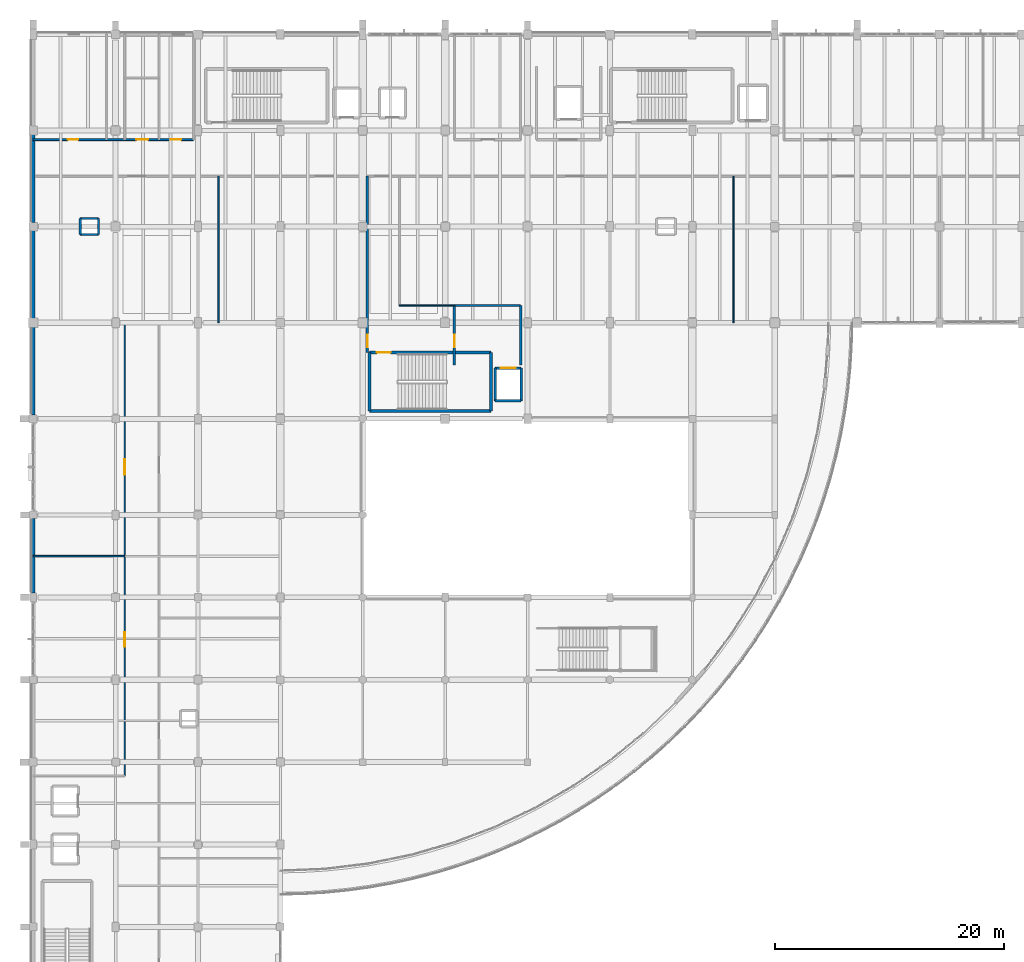
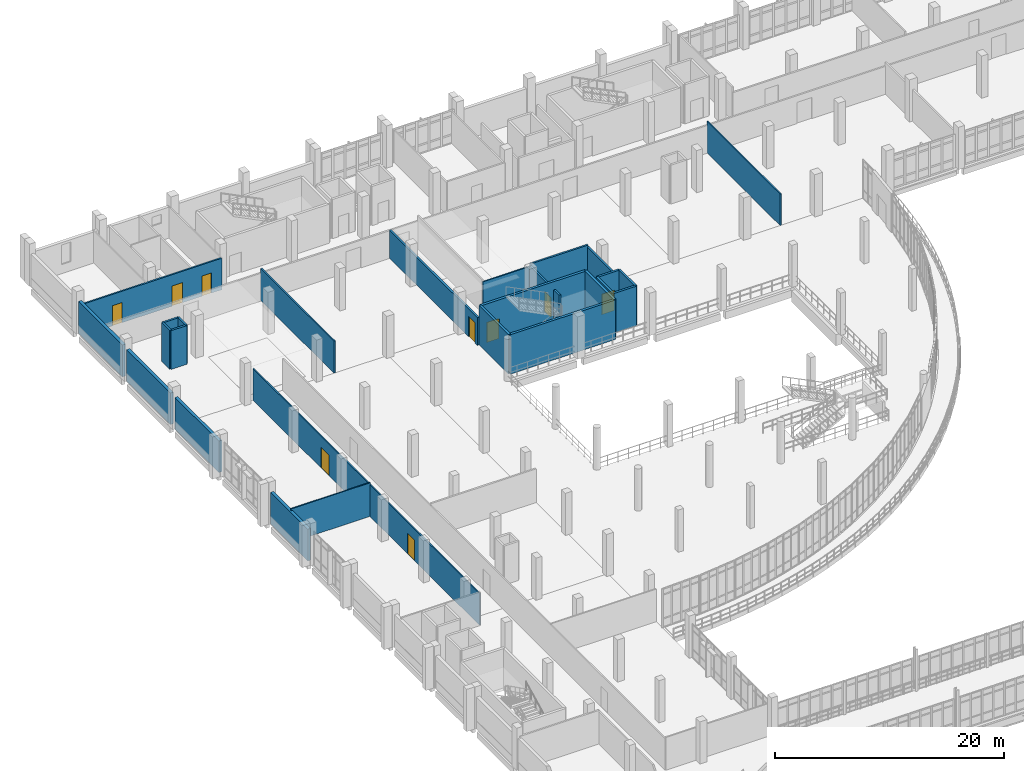
# One storey, part 109 of 124: 26 walls, 9 doors, 9 openings.
"""IFC4 building model written with IfcOpenShell, lengths in metres."""

from ifc_helpers import new_model, si_unit, direction, frame, frame_2d, origin, place, context, subcontext, project, spatial, rectangle, extrude, material, layer, layer_set, type_object, element, fill, save


model = new_model("IFC4")

# Units and contexts
model_context = context("Model", 3, precision=1e-05, world=origin(), true_north=direction((0.0, 1.0)))
body_context = subcontext(model_context, "Body", "Model", "MODEL_VIEW")
ifc_project = project(units=[si_unit("LENGTHUNIT", "METRE"), si_unit("AREAUNIT", "SQUARE_METRE"), si_unit("VOLUMEUNIT", "CUBIC_METRE"), si_unit("PLANEANGLEUNIT", "RADIAN"), si_unit("MASSUNIT", "GRAM", prefix="KILO")], contexts=[model_context])

# Site, building, storey
site_placement = place(None, origin())
site = spatial("IfcSite", under=ifc_project, at=site_placement, CompositionType="ELEMENT")
building_placement = place(site_placement, origin())
building = spatial("IfcBuilding", under=site, at=building_placement, Name="Kalluvel Institute of Natural Sciences", CompositionType="ELEMENT")
storey_placement = place(building_placement, frame((0.0, 0.0, 9.89990234375)))
storey = spatial("IfcBuildingStorey", under=building, at=storey_placement, Name="L02", CompositionType="ELEMENT", Elevation=9.89990234375)

# Walls
ifc_material_1 = material(Name="Concrete M40", Category="concrete")
ifc_layer_1 = layer(ifc_material_1, 0.25)
ifc_layer_set_1 = layer_set([ifc_layer_1], Name="Concrete M40")
wall_type_1 = type_object("IfcWallType", Name="WL-CORE-250", PredefinedType="SHEAR", material=ifc_layer_set_1)
wall_1_placement = place(storey_placement, frame((43.385009765625, 95.0849609375, 0.0), z_axis=(0.0, 0.0, 1.0), x_axis=(1.0, 0.0, 0.0)))
element("IfcWall", 1, at=wall_1_placement, inside=storey, type_object=wall_type_1, Name="ST3 L02 core wall S", PredefinedType="SHEAR", context=body_context, shape_type="SweptSolid", body=[
    extrude(rectangle(XDim=10.6298828125, YDim=0.25, at=frame_2d((5.31494140625, 0.0))), origin(), (0.0, 0.0, 1.0), 4.215087890625),
])
wall_2_placement = place(storey_placement, frame((54.014892578125, 95.0849609375, 0.0), z_axis=(0.0, 0.0, 1.0), x_axis=(0.0, 1.0, 0.0)))
element("IfcWall", 2, at=wall_2_placement, inside=storey, type_object=wall_type_1, Name="ST3 L02 core wall E", PredefinedType="SHEAR", context=body_context, shape_type="SweptSolid", body=[
    extrude(rectangle(XDim=5.10009765625, YDim=0.25, at=frame_2d((2.550048828125, 0.0))), origin(), (0.0, 0.0, 1.0), 4.215087890625),
])

# Wall, opening, door
wall_3_placement = place(storey_placement, frame((54.014892578125, 100.18505859375, 0.0), z_axis=(0.0, 0.0, 1.0), x_axis=(-1.0, 0.0, 0.0)))
wall_3 = element("IfcWall", 3, at=wall_3_placement, inside=storey, type_object=wall_type_1, Name="ST3 L02 core wall N", PredefinedType="SHEAR", context=body_context, shape_type="SweptSolid", body=[
    extrude(rectangle(XDim=10.6298828125, YDim=0.25, at=frame_2d((5.31494140625, 0.0))), origin(), (0.0, 0.0, 1.0), 4.215087890625),
])
opening_1_placement = place(wall_3_placement, frame((8.780029296875, 0.0, 0.0)))
opening_1 = element("IfcOpeningElement", 4, at=opening_1_placement, cuts=wall_3, Name="Opening DS-026", PredefinedType="OPENING", context=body_context, shape_type="SweptSolid", body=[
    extrude(rectangle(XDim=1.199951171875, YDim=2.14990234375, at=frame_2d((0.60009765625, 1.074951171875))), frame((0.0, 0.135009765625, 0.0), z_axis=(0.0, -1.0, 0.0), x_axis=(1.0, 0.0, 0.0)), (0.0, 0.0, 1.0), 0.27001953125),
])
ifc_material_2 = material(Name="Galvanized Fire-Rated Steel", Category="steel")
door_type_1 = type_object("IfcDoorType", Name="DR-ST-1200", OperationType="NOTDEFINED", PredefinedType="DOOR", material=ifc_material_2)
door_1_placement = place(opening_1_placement, origin())
door_1 = element("IfcDoor", 5, at=door_1_placement, inside=storey, type_object=door_type_1, Name="ST3 L02 protected stair door DS-026", OperationType="SINGLE_SWING_RIGHT", OverallHeight=2.14990234375, OverallWidth=1.199951171875, PredefinedType="DOOR", context=body_context, shape_type="SweptSolid", body=[
    extrude(rectangle(XDim=1.199951171875, YDim=2.14990234375, at=frame_2d((0.60009765625, 1.074951171875))), frame((0.0, 0.02490234375, 0.0), z_axis=(0.0, -1.0, 0.0), x_axis=(1.0, 0.0, 0.0)), (0.0, 0.0, 1.0), 0.050048828125),
])
fill(opening_1, door_1)

# Walls
wall_4_placement = place(storey_placement, frame((43.385009765625, 100.18505859375, 0.0), z_axis=(0.0, 0.0, 1.0), x_axis=(0.0, -1.0, 0.0)))
element("IfcWall", 6, at=wall_4_placement, inside=storey, type_object=wall_type_1, Name="ST3 L02 core wall W", PredefinedType="SHEAR", context=body_context, shape_type="SweptSolid", body=[
    extrude(rectangle(XDim=5.10009765625, YDim=0.25, at=frame_2d((2.550048828125, 0.0))), origin(), (0.0, 0.0, 1.0), 4.215087890625),
])
ifc_material_3 = material(Name="Sadarahalli Grey Granite Ashlar Concrete M40", Category="masonry")
ifc_layer_2 = layer(ifc_material_3, 0.300048828125)
ifc_layer_set_2 = layer_set([ifc_layer_2], Name="Sadarahalli Grey Granite Ashlar Concrete M40")
wall_type_2 = type_object("IfcWallType", Name="WL-EXT-300", PredefinedType="SOLIDWALL", material=ifc_layer_set_2)
wall_5_placement = place(storey_placement, frame((14.0, 79.179931640625, 0.0), z_axis=(0.0, 0.0, 1.0), x_axis=(0.0, 1.0, 0.0)))
element("IfcWall", 7, at=wall_5_placement, inside=storey, type_object=wall_type_2, Name="L02 Sadarahalli granite exterior wall WL-EXT-L02-0164", PredefinedType="SOLIDWALL", context=body_context, shape_type="SweptSolid", body=[
    extrude(rectangle(XDim=6.51513671875, YDim=0.300048828125, at=frame_2d((3.257568359375, 0.0))), origin(), (0.0, 0.0, 1.0), 3.375),
])
wall_6_placement = place(storey_placement, frame((14.0, 94.72998046875, 0.0), z_axis=(0.0, 0.0, 1.0), x_axis=(0.0, 1.0, 0.0)))
element("IfcWall", 8, at=wall_6_placement, inside=storey, type_object=wall_type_2, Name="L02 Sadarahalli granite exterior wall WL-EXT-L02-0165", PredefinedType="SOLIDWALL", context=body_context, shape_type="SweptSolid", body=[
    extrude(rectangle(XDim=7.68994140625, YDim=0.300048828125, at=frame_2d((3.844970703125, 0.0))), origin(), (0.0, 0.0, 1.0), 3.35498046875),
])
ifc_layer_3 = layer(ifc_material_3, 0.320068359375)
ifc_layer_set_3 = layer_set([ifc_layer_3], Name="Sadarahalli Grey Granite Ashlar Concrete M40")
wall_type_3 = type_object("IfcWallType", Name="WL-EXT-320", PredefinedType="SOLIDWALL", material=ifc_layer_set_3)
wall_7_placement = place(storey_placement, frame((14.0, 103.179931640625, 0.0), z_axis=(0.0, 0.0, 1.0), x_axis=(0.0, 1.0, 0.0)))
element("IfcWall", 9, at=wall_7_placement, inside=storey, type_object=wall_type_3, Name="L02 Sadarahalli granite exterior wall WL-EXT-L02-0036", PredefinedType="SOLIDWALL", context=body_context, shape_type="SweptSolid", body=[
    extrude(rectangle(XDim=7.6650390625, YDim=0.320068359375, at=frame_2d((3.83251953125, 0.0))), origin(), (0.0, 0.0, 1.0), 3.35498046875),
])
wall_8_placement = place(storey_placement, frame((14.0, 111.554931640625, 0.0), z_axis=(0.0, 0.0, 1.0), x_axis=(0.0, 1.0, 0.0)))
element("IfcWall", 10, at=wall_8_placement, inside=storey, type_object=wall_type_3, Name="L02 Sadarahalli granite exterior wall WL-EXT-L02-0037", PredefinedType="SOLIDWALL", context=body_context, shape_type="SweptSolid", body=[
    extrude(rectangle(XDim=7.690185546875, YDim=0.320068359375, at=frame_2d((3.84521484375, 0.0))), origin(), (0.0, 0.0, 1.0), 3.405029296875),
])
ifc_material_4 = material(Name="Autoclaved Aerated Concrete Masonry Block", Category="masonry")
ifc_layer_4 = layer(ifc_material_4, 0.179931640625)
ifc_layer_set_4 = layer_set([ifc_layer_4], Name="Autoclaved Aerated Concrete Masonry Block")
wall_type_4 = type_object("IfcWallType", Name="WL-FIRE-180", PredefinedType="SOLIDWALL", material=ifc_layer_set_4)
wall_9_placement = place(storey_placement, frame((50.800048828125, 104.300048828125, 0.0), z_axis=(0.0, 0.0, 1.0), x_axis=(1.0, 0.0, 0.0)))
element("IfcWall", 11, at=wall_9_placement, inside=storey, type_object=wall_type_4, Name="L02 interior fire wall WL-INT-L02-0131", PredefinedType="SOLIDWALL", context=body_context, shape_type="SweptSolid", body=[
    extrude(rectangle(XDim=5.800048828125, YDim=0.179931640625, at=frame_2d((2.89990234375, 0.0))), origin(), (0.0, 0.0, 1.0), 3.56005859375),
])

# Wall, opening, door
ifc_layer_5 = layer(ifc_material_4, 0.199951171875)
ifc_layer_set_5 = layer_set([ifc_layer_5], Name="Autoclaved Aerated Concrete Masonry Block")
wall_type_5 = type_object("IfcWallType", Name="WL-FIRE-200", PredefinedType="SOLIDWALL", material=ifc_layer_set_5)
wall_10_placement = place(storey_placement, frame((50.800048828125, 99.10009765625, 0.0), z_axis=(0.0, 0.0, 1.0), x_axis=(0.0, 1.0, 0.0)))
wall_10 = element("IfcWall", 12, at=wall_10_placement, inside=storey, type_object=wall_type_5, Name="L02 interior fire wall WL-INT-L02-0129", PredefinedType="SOLIDWALL", context=body_context, shape_type="SweptSolid", body=[
    extrude(rectangle(XDim=5.199951171875, YDim=0.199951171875, at=frame_2d((2.60009765625, 0.0))), origin(), (0.0, 0.0, 1.0), 3.360107421875),
])
opening_2_placement = place(wall_10_placement, frame((1.550048828125, 0.0, 0.0)))
opening_2 = element("IfcOpeningElement", 13, at=opening_2_placement, cuts=wall_10, Name="Opening D-122", PredefinedType="OPENING", context=body_context, shape_type="SweptSolid", body=[
    extrude(rectangle(XDim=1.10009765625, YDim=2.14990234375, at=frame_2d((0.550048828125, 1.074951171875))), frame((0.0, 0.10986328125, 0.0), z_axis=(0.0, -1.0, 0.0), x_axis=(1.0, 0.0, 0.0)), (0.0, 0.0, 1.0), 0.219970703125),
])
door_type_2 = type_object("IfcDoorType", Name="DR-FD60-1100", OperationType="NOTDEFINED", PredefinedType="DOOR", material=ifc_material_2)
door_2_placement = place(opening_2_placement, origin())
door_2 = element("IfcDoor", 14, at=door_2_placement, inside=storey, type_object=door_type_2, Name="L02 ST3-FF2 link door D-122", OperationType="SINGLE_SWING_LEFT", OverallHeight=2.14990234375, OverallWidth=1.10009765625, PredefinedType="DOOR", context=body_context, shape_type="SweptSolid", body=[
    extrude(rectangle(XDim=1.10009765625, YDim=2.14990234375, at=frame_2d((0.550048828125, 1.074951171875))), frame((0.0, 0.02490234375, 0.0), z_axis=(0.0, -1.0, 0.0), x_axis=(1.0, 0.0, 0.0)), (0.0, 0.0, 1.0), 0.050048828125),
])
fill(opening_2, door_2)

# Wall
wall_11_placement = place(storey_placement, frame((56.60009765625, 99.10009765625, 0.0), z_axis=(0.0, 0.0, 1.0), x_axis=(0.0, 1.0, 0.0)))
element("IfcWall", 15, at=wall_11_placement, inside=storey, type_object=wall_type_5, Name="L02 interior fire wall WL-INT-L02-0130", PredefinedType="SOLIDWALL", context=body_context, shape_type="SweptSolid", body=[
    extrude(rectangle(XDim=5.199951171875, YDim=0.199951171875, at=frame_2d((2.60009765625, 0.0))), origin(), (0.0, 0.0, 1.0), 3.360107421875),
])

# Wall, opening, door
wall_12_placement = place(storey_placement, frame((43.199951171875, 100.199951171875, 0.0), z_axis=(0.0, 0.0, 1.0), x_axis=(0.0, 1.0, 0.0)))
wall_12 = element("IfcWall", 16, at=wall_12_placement, inside=storey, type_object=wall_type_5, Name="L02 interior fire wall WL-INT-L02-0132", PredefinedType="SOLIDWALL", context=body_context, shape_type="SweptSolid", body=[
    extrude(rectangle(XDim=15.400146484375, YDim=0.199951171875, at=frame_2d((7.7001953125, 0.0))), origin(), (0.0, 0.0, 1.0), 2.960205078125),
])
opening_3_placement = place(wall_12_placement, frame((0.449951171875, 0.0, 0.0)))
opening_3 = element("IfcOpeningElement", 17, at=opening_3_placement, cuts=wall_12, Name="Opening D-123", PredefinedType="OPENING", context=body_context, shape_type="SweptSolid", body=[
    extrude(rectangle(XDim=1.10009765625, YDim=2.14990234375, at=frame_2d((0.550048828125, 1.074951171875))), frame((0.0, 0.10986328125, 0.0), z_axis=(0.0, -1.0, 0.0), x_axis=(1.0, 0.0, 0.0)), (0.0, 0.0, 1.0), 0.219970703125),
])
door_3_placement = place(opening_3_placement, origin())
door_3 = element("IfcDoor", 18, at=door_3_placement, inside=storey, type_object=door_type_2, Name="L02 Concourse to Central Stair door D-123", OperationType="SINGLE_SWING_LEFT", OverallHeight=2.14990234375, OverallWidth=1.10009765625, PredefinedType="DOOR", context=body_context, shape_type="SweptSolid", body=[
    extrude(rectangle(XDim=1.10009765625, YDim=2.14990234375, at=frame_2d((0.550048828125, 1.074951171875))), frame((0.0, 0.02490234375, 0.0), z_axis=(0.0, -1.0, 0.0), x_axis=(1.0, 0.0, 0.0)), (0.0, 0.0, 1.0), 0.050048828125),
])
fill(opening_3, door_3)

# Walls
ifc_material_5 = material(Name="Acoustic Gypsum Twin-Stud Partition", Category="gypsum")
ifc_layer_6 = layer(ifc_material_5, 0.1201171875)
ifc_layer_set_6 = layer_set([ifc_layer_6], Name="Acoustic Gypsum Twin-Stud Partition")
wall_type_6 = type_object("IfcWallType", Name="WL-PART-120", PredefinedType="PARTITIONING", material=ifc_layer_set_6)
wall_13_placement = place(storey_placement, frame((46.0, 104.300048828125, 0.0), z_axis=(0.0, 0.0, 1.0), x_axis=(1.0, 0.0, 0.0)))
element("IfcWall", 19, at=wall_13_placement, inside=storey, type_object=wall_type_6, Name="L02 interior partition wall WL-INT-L02-0134", PredefinedType="PARTITIONING", context=body_context, shape_type="SweptSolid", body=[
    extrude(rectangle(XDim=4.800048828125, YDim=0.1201171875, at=frame_2d((2.39990234375, 0.0))), origin(), (0.0, 0.0, 1.0), 3.31005859375),
])
wall_14_placement = place(storey_placement, frame((75.199951171875, 102.800048828125, 0.0), z_axis=(0.0, 0.0, 1.0), x_axis=(0.0, 1.0, 0.0)))
element("IfcWall", 20, at=wall_14_placement, inside=storey, type_object=wall_type_6, Name="L02 interior partition wall WL-INT-L02-0149", PredefinedType="PARTITIONING", context=body_context, shape_type="SweptSolid", body=[
    extrude(rectangle(XDim=12.800048828125, YDim=0.1201171875, at=frame_2d((6.39990234375, 0.0))), origin(), (0.0, 0.0, 1.0), 3.360107421875),
])

# Wall, openings, doors
wall_15_placement = place(storey_placement, frame((22.0, 63.199951171875, 0.0), z_axis=(0.0, 0.0, 1.0), x_axis=(0.0, 1.0, 0.0)))
wall_15 = element("IfcWall", 21, at=wall_15_placement, inside=storey, type_object=wall_type_6, Name="L02 interior partition wall WL-INT-L02-0158", PredefinedType="PARTITIONING", context=body_context, shape_type="SweptSolid", body=[
    extrude(rectangle(XDim=39.60009765625, YDim=0.1201171875, at=frame_2d((19.800048828125, 0.0))), origin(), (0.0, 0.0, 1.0), 3.380126953125),
])
opening_4_placement = place(wall_15_placement, frame((11.300048828125, 0.0, 0.0)))
opening_4 = element("IfcOpeningElement", 22, at=opening_4_placement, cuts=wall_15, Name="Opening D-141", PredefinedType="OPENING", context=body_context, shape_type="SweptSolid", body=[
    extrude(rectangle(XDim=1.25, YDim=2.199951171875, at=frame_2d((0.625, 1.10009765625))), frame((0.0, 0.070068359375, 0.0), z_axis=(0.0, -1.0, 0.0), x_axis=(1.0, 0.0, 0.0)), (0.0, 0.0, 1.0), 0.14013671875),
])
opening_5_placement = place(wall_15_placement, frame((26.300048828125, 0.0, 0.0)))
opening_5 = element("IfcOpeningElement", 23, at=opening_5_placement, cuts=wall_15, Name="Opening D-142", PredefinedType="OPENING", context=body_context, shape_type="SweptSolid", body=[
    extrude(rectangle(XDim=1.35009765625, YDim=2.199951171875, at=frame_2d((0.675048828125, 1.10009765625))), frame((0.0, 0.070068359375, 0.0), z_axis=(0.0, -1.0, 0.0), x_axis=(1.0, 0.0, 0.0)), (0.0, 0.0, 1.0), 0.14013671875),
])
ifc_material_6 = material(Name="Engineered Hardwood Acoustic Leaf", Category="wood")
door_type_3 = type_object("IfcDoorType", Name="DR-INT-1250", OperationType="NOTDEFINED", PredefinedType="DOOR", material=ifc_material_6)
door_4_placement = place(opening_4_placement, origin())
door_4 = element("IfcDoor", 24, at=door_4_placement, inside=storey, type_object=door_type_3, Name="L02 DW-N1 door D-141", OperationType="SINGLE_SWING_LEFT", OverallHeight=2.199951171875, OverallWidth=1.25, PredefinedType="DOOR", context=body_context, shape_type="SweptSolid", body=[
    extrude(rectangle(XDim=1.25, YDim=2.199951171875, at=frame_2d((0.625, 1.10009765625))), frame((0.0, 0.02490234375, 0.0), z_axis=(0.0, -1.0, 0.0), x_axis=(1.0, 0.0, 0.0)), (0.0, 0.0, 1.0), 0.050048828125),
])
fill(opening_4, door_4)
ifc_material_7 = material(Name="Aluminium AW-6063 T6", Category="aluminium")
door_type_4 = type_object("IfcDoorType", Name="DR-INT-1350", OperationType="NOTDEFINED", PredefinedType="DOOR", material=ifc_material_7)
door_5_placement = place(opening_5_placement, origin())
door_5 = element("IfcDoor", 25, at=door_5_placement, inside=storey, type_object=door_type_4, Name="L02 DW-N2 door D-142", OperationType="SINGLE_SWING_RIGHT", OverallHeight=2.199951171875, OverallWidth=1.35009765625, PredefinedType="DOOR", context=body_context, shape_type="SweptSolid", body=[
    extrude(rectangle(XDim=1.35009765625, YDim=2.199951171875, at=frame_2d((0.675048828125, 1.10009765625))), frame((0.0, 0.02490234375, 0.0), z_axis=(0.0, -1.0, 0.0), x_axis=(1.0, 0.0, 0.0)), (0.0, 0.0, 1.0), 0.050048828125),
])
fill(opening_5, door_5)

# Walls
wall_16_placement = place(storey_placement, frame((14.0, 82.39990234375, 0.0), z_axis=(0.0, 0.0, 1.0), x_axis=(1.0, 0.0, 0.0)))
element("IfcWall", 26, at=wall_16_placement, inside=storey, type_object=wall_type_6, Name="L02 interior partition wall WL-INT-L02-0161", PredefinedType="PARTITIONING", context=body_context, shape_type="SweptSolid", body=[
    extrude(rectangle(XDim=8.0, YDim=0.1201171875, at=frame_2d((4.0, 0.0))), origin(), (0.0, 0.0, 1.0), 3.580078125),
])
ifc_layer_7 = layer(ifc_material_5, 0.139892578125)
ifc_layer_set_7 = layer_set([ifc_layer_7], Name="Acoustic Gypsum Twin-Stud Partition")
wall_type_7 = type_object("IfcWallType", Name="WL-PART-140", PredefinedType="PARTITIONING", material=ifc_layer_set_7)
wall_17_placement = place(storey_placement, frame((30.199951171875, 102.800048828125, 0.0), z_axis=(0.0, 0.0, 1.0), x_axis=(0.0, 1.0, 0.0)))
element("IfcWall", 27, at=wall_17_placement, inside=storey, type_object=wall_type_7, Name="L02 interior partition wall WL-INT-L02-0148", PredefinedType="PARTITIONING", context=body_context, shape_type="SweptSolid", body=[
    extrude(rectangle(XDim=12.800048828125, YDim=0.139892578125, at=frame_2d((6.39990234375, 0.0))), origin(), (0.0, 0.0, 1.0), 3.41015625),
])

# Wall, openings, doors
ifc_layer_8 = layer(ifc_material_4, 0.159912109375)
ifc_layer_set_8 = layer_set([ifc_layer_8], Name="Autoclaved Aerated Concrete Masonry Block")
wall_type_8 = type_object("IfcWallType", Name="WL-PART-160", PredefinedType="PARTITIONING", material=ifc_layer_set_8)
wall_18_placement = place(storey_placement, frame((14.0, 118.800048828125, 0.0), z_axis=(0.0, 0.0, 1.0), x_axis=(1.0, 0.0, 0.0)))
wall_18 = element("IfcWall", 28, at=wall_18_placement, inside=storey, type_object=wall_type_8, Name="L02 interior partition wall WL-INT-L02-0135", PredefinedType="PARTITIONING", context=body_context, shape_type="SweptSolid", body=[
    extrude(rectangle(XDim=14.0, YDim=0.159912109375, at=frame_2d((7.0, 0.0))), origin(), (0.0, 0.0, 1.0), 3.360107421875),
])
opening_6_placement = place(wall_18_placement, frame((3.0, 0.0, 0.0)))
opening_6 = element("IfcOpeningElement", 29, at=opening_6_placement, cuts=wall_18, Name="Opening D-124", PredefinedType="OPENING", context=body_context, shape_type="SweptSolid", body=[
    extrude(rectangle(XDim=0.949951171875, YDim=2.14990234375, at=frame_2d((0.47509765625, 1.074951171875))), frame((0.0, 0.08984375, 0.0), z_axis=(0.0, -1.0, 0.0), x_axis=(1.0, 0.0, 0.0)), (0.0, 0.0, 1.0), 0.179931640625),
])
opening_7_placement = place(wall_18_placement, frame((9.0, 0.0, 0.0)))
opening_7 = element("IfcOpeningElement", 30, at=opening_7_placement, cuts=wall_18, Name="Opening D-125", PredefinedType="OPENING", context=body_context, shape_type="SweptSolid", body=[
    extrude(rectangle(XDim=1.050048828125, YDim=2.14990234375, at=frame_2d((0.52490234375, 1.074951171875))), frame((0.0, 0.08984375, 0.0), z_axis=(0.0, -1.0, 0.0), x_axis=(1.0, 0.0, 0.0)), (0.0, 0.0, 1.0), 0.179931640625),
])
opening_8_placement = place(wall_18_placement, frame((12.0, 0.0, 0.0)))
opening_8 = element("IfcOpeningElement", 31, at=opening_8_placement, cuts=wall_18, Name="Opening D-126", PredefinedType="OPENING", context=body_context, shape_type="SweptSolid", body=[
    extrude(rectangle(XDim=0.949951171875, YDim=2.14990234375, at=frame_2d((0.47509765625, 1.074951171875))), frame((0.0, 0.08984375, 0.0), z_axis=(0.0, -1.0, 0.0), x_axis=(1.0, 0.0, 0.0)), (0.0, 0.0, 1.0), 0.179931640625),
])
door_type_5 = type_object("IfcDoorType", Name="DR-ACC-1050", OperationType="NOTDEFINED", PredefinedType="DOOR", material=ifc_material_6)
door_6_placement = place(opening_7_placement, origin())
door_6 = element("IfcDoor", 32, at=door_6_placement, inside=storey, type_object=door_type_5, Name="L02 Accessible WC door D-125", OperationType="SINGLE_SWING_RIGHT", OverallHeight=2.14990234375, OverallWidth=1.050048828125, PredefinedType="DOOR", context=body_context, shape_type="SweptSolid", body=[
    extrude(rectangle(XDim=1.050048828125, YDim=2.14990234375, at=frame_2d((0.52490234375, 1.074951171875))), frame((0.0, 0.02490234375, 0.0), z_axis=(0.0, -1.0, 0.0), x_axis=(1.0, 0.0, 0.0)), (0.0, 0.0, 1.0), 0.050048828125),
])
fill(opening_7, door_6)
door_type_6 = type_object("IfcDoorType", Name="DR-INT-950", OperationType="NOTDEFINED", PredefinedType="DOOR", material=ifc_material_6)
door_7_placement = place(opening_6_placement, origin())
door_7 = element("IfcDoor", 33, at=door_7_placement, inside=storey, type_object=door_type_6, Name="L02 Male WC door D-124", OperationType="SINGLE_SWING_LEFT", OverallHeight=2.14990234375, OverallWidth=0.949951171875, PredefinedType="DOOR", context=body_context, shape_type="SweptSolid", body=[
    extrude(rectangle(XDim=0.949951171875, YDim=2.14990234375, at=frame_2d((0.47509765625, 1.074951171875))), frame((0.0, 0.02490234375, 0.0), z_axis=(0.0, -1.0, 0.0), x_axis=(1.0, 0.0, 0.0)), (0.0, 0.0, 1.0), 0.050048828125),
])
fill(opening_6, door_7)
door_8_placement = place(opening_8_placement, origin())
door_8 = element("IfcDoor", 34, at=door_8_placement, inside=storey, type_object=door_type_6, Name="L02 Female WC door D-126", OperationType="SINGLE_SWING_LEFT", OverallHeight=2.14990234375, OverallWidth=0.949951171875, PredefinedType="DOOR", context=body_context, shape_type="SweptSolid", body=[
    extrude(rectangle(XDim=0.949951171875, YDim=2.14990234375, at=frame_2d((0.47509765625, 1.074951171875))), frame((0.0, 0.02490234375, 0.0), z_axis=(0.0, -1.0, 0.0), x_axis=(1.0, 0.0, 0.0)), (0.0, 0.0, 1.0), 0.050048828125),
])
fill(opening_8, door_8)

# Walls
ifc_layer_9 = layer(ifc_material_1, 0.199951171875)
ifc_layer_set_9 = layer_set([ifc_layer_9], Name="Concrete M40")
wall_type_9 = type_object("IfcWallType", Name="WL-RISER-200", PredefinedType="SHEAR", material=ifc_layer_set_9)
wall_19_placement = place(storey_placement, frame((18.10009765625, 110.5, 0.0), z_axis=(0.0, 0.0, 1.0), x_axis=(1.0, 0.0, 0.0)))
element("IfcWall", 35, at=wall_19_placement, inside=storey, type_object=wall_type_9, Name="RS-WET-W L02 service riser enclosure S", PredefinedType="SHEAR", context=body_context, shape_type="SweptSolid", body=[
    extrude(rectangle(XDim=1.599853515625, YDim=0.199951171875, at=frame_2d((0.7998046875, 0.0))), origin(), (0.0, 0.0, 1.0), 4.14013671875),
])
wall_20_placement = place(storey_placement, frame((19.699951171875, 110.5, 0.0), z_axis=(0.0, 0.0, 1.0), x_axis=(0.0, 1.0, 0.0)))
element("IfcWall", 36, at=wall_20_placement, inside=storey, type_object=wall_type_9, Name="RS-WET-W L02 service riser enclosure E", PredefinedType="SHEAR", context=body_context, shape_type="SweptSolid", body=[
    extrude(rectangle(XDim=1.39990234375, YDim=0.199951171875, at=frame_2d((0.699951171875, 0.0))), origin(), (0.0, 0.0, 1.0), 4.14013671875),
])
wall_21_placement = place(storey_placement, frame((19.699951171875, 111.89990234375, 0.0), z_axis=(0.0, 0.0, 1.0), x_axis=(-1.0, 0.0, 0.0)))
element("IfcWall", 37, at=wall_21_placement, inside=storey, type_object=wall_type_9, Name="RS-WET-W L02 service riser enclosure N", PredefinedType="SHEAR", context=body_context, shape_type="SweptSolid", body=[
    extrude(rectangle(XDim=1.599853515625, YDim=0.199951171875, at=frame_2d((0.7998046875, 0.0))), origin(), (0.0, 0.0, 1.0), 4.14013671875),
])
wall_22_placement = place(storey_placement, frame((18.10009765625, 111.89990234375, 0.0), z_axis=(0.0, 0.0, 1.0), x_axis=(0.0, -1.0, 0.0)))
element("IfcWall", 38, at=wall_22_placement, inside=storey, type_object=wall_type_9, Name="RS-WET-W L02 service riser enclosure W", PredefinedType="SHEAR", context=body_context, shape_type="SweptSolid", body=[
    extrude(rectangle(XDim=1.39990234375, YDim=0.199951171875, at=frame_2d((0.699951171875, 0.0))), origin(), (0.0, 0.0, 1.0), 4.14013671875),
])
ifc_layer_10 = layer(ifc_material_1, 0.219970703125)
ifc_layer_set_10 = layer_set([ifc_layer_10], Name="Concrete M40")
wall_type_10 = type_object("IfcWallType", Name="WL-SHAFT-220", PredefinedType="SHEAR", material=ifc_layer_set_10)
wall_23_placement = place(storey_placement, frame((54.3701171875, 95.969970703125, 0.0), z_axis=(0.0, 0.0, 1.0), x_axis=(1.0, 0.0, 0.0)))
element("IfcWall", 39, at=wall_23_placement, inside=storey, type_object=wall_type_10, Name="LF8 L02 lift shaft wall", PredefinedType="SHEAR", context=body_context, shape_type="SweptSolid", body=[
    extrude(rectangle(XDim=2.259765625, YDim=0.219970703125, at=frame_2d((1.1298828125, 0.0))), origin(), (0.0, 0.0, 1.0), 4.215087890625),
])
wall_24_placement = place(storey_placement, frame((56.6298828125, 95.969970703125, 0.0), z_axis=(0.0, 0.0, 1.0), x_axis=(0.0, 1.0, 0.0)))
element("IfcWall", 40, at=wall_24_placement, inside=storey, type_object=wall_type_10, Name="LF8 L02 lift shaft wall", PredefinedType="SHEAR", context=body_context, shape_type="SweptSolid", body=[
    extrude(rectangle(XDim=2.860107421875, YDim=0.219970703125, at=frame_2d((1.43017578125, 0.0))), origin(), (0.0, 0.0, 1.0), 4.215087890625),
])

# Wall, opening, door
wall_25_placement = place(storey_placement, frame((56.6298828125, 98.830078125, 0.0), z_axis=(0.0, 0.0, 1.0), x_axis=(-1.0, 0.0, 0.0)))
wall_25 = element("IfcWall", 41, at=wall_25_placement, inside=storey, type_object=wall_type_10, Name="LF8 L02 lift shaft wall", PredefinedType="SHEAR", context=body_context, shape_type="SweptSolid", body=[
    extrude(rectangle(XDim=2.259765625, YDim=0.219970703125, at=frame_2d((1.1298828125, 0.0))), origin(), (0.0, 0.0, 1.0), 4.215087890625),
])
opening_9_placement = place(wall_25_placement, frame((0.47998046875, 0.0, 0.0)))
opening_9 = element("IfcOpeningElement", 42, at=opening_9_placement, cuts=wall_25, Name="Opening LD-062", PredefinedType="OPENING", context=body_context, shape_type="SweptSolid", body=[
    extrude(rectangle(XDim=1.300048828125, YDim=2.199951171875, at=frame_2d((0.64990234375, 1.10009765625))), frame((0.0, 0.119873046875, 0.0), z_axis=(0.0, -1.0, 0.0), x_axis=(1.0, 0.0, 0.0)), (0.0, 0.0, 1.0), 0.239990234375),
])
door_type_7 = type_object("IfcDoorType", Name="DR-LD-1300", OperationType="NOTDEFINED", PredefinedType="DOOR", material=ifc_material_2)
door_9_placement = place(opening_9_placement, origin())
door_9 = element("IfcDoor", 43, at=door_9_placement, inside=storey, type_object=door_type_7, Name="LF8 L02 sliding lift landing door LD-062", OperationType="DOUBLE_DOOR_SLIDING", OverallHeight=2.199951171875, OverallWidth=1.300048828125, PredefinedType="DOOR", context=body_context, shape_type="SweptSolid", body=[
    extrude(rectangle(XDim=1.300048828125, YDim=2.199951171875, at=frame_2d((0.64990234375, 1.10009765625))), frame((0.0, 0.02490234375, 0.0), z_axis=(0.0, -1.0, 0.0), x_axis=(1.0, 0.0, 0.0)), (0.0, 0.0, 1.0), 0.050048828125),
])
fill(opening_9, door_9)

# Wall
wall_26_placement = place(storey_placement, frame((54.3701171875, 98.830078125, 0.0), z_axis=(0.0, 0.0, 1.0), x_axis=(0.0, -1.0, 0.0)))
element("IfcWall", 44, at=wall_26_placement, inside=storey, type_object=wall_type_10, Name="LF8 L02 lift shaft wall", PredefinedType="SHEAR", context=body_context, shape_type="SweptSolid", body=[
    extrude(rectangle(XDim=2.860107421875, YDim=0.219970703125, at=frame_2d((1.43017578125, 0.0))), origin(), (0.0, 0.0, 1.0), 4.215087890625),
])

save(model, "model.ifc")
